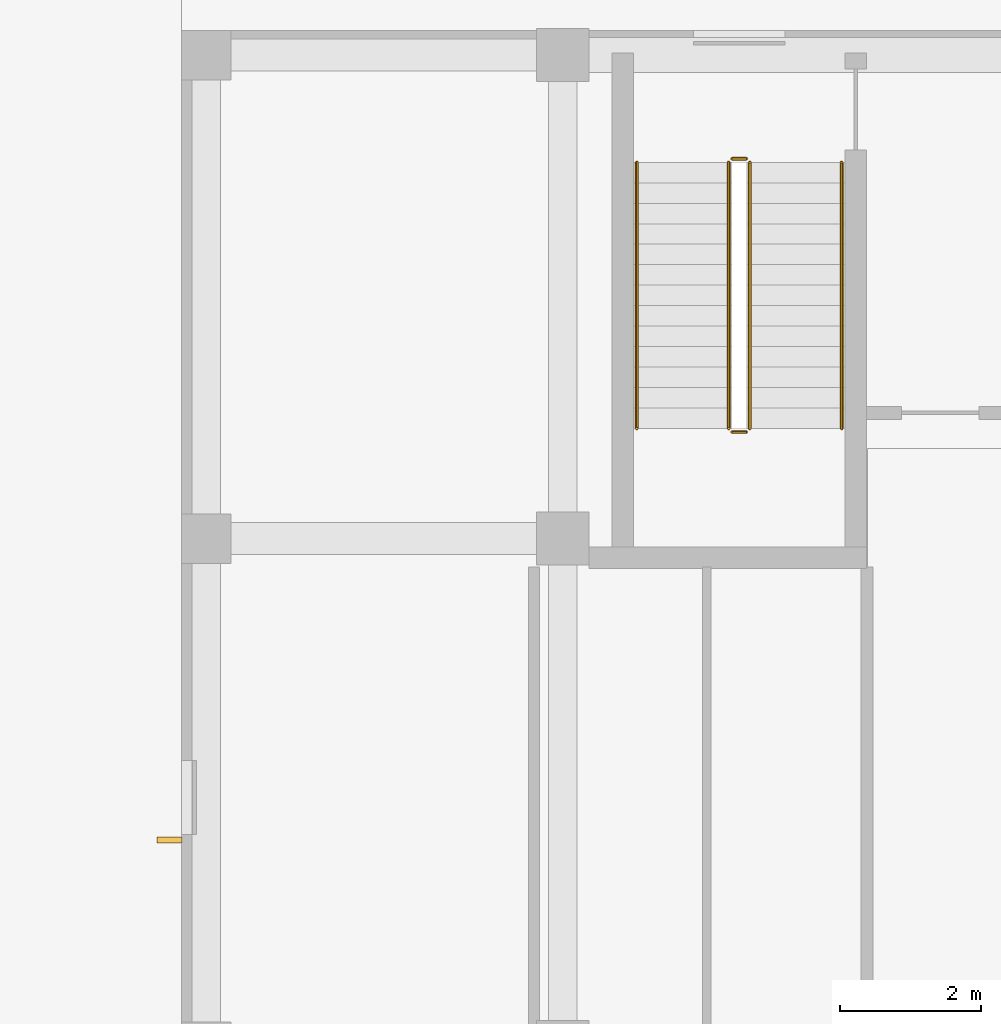
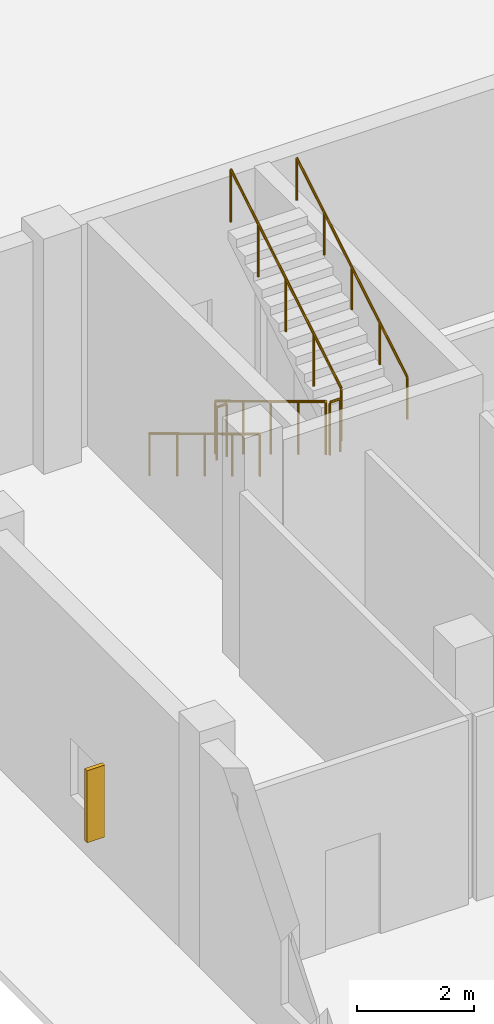
# One storey, part 61 of 85: 6 railings, 1 shading device.
"""IFC4 building model written with IfcOpenShell, lengths in metres."""

from ifc_helpers import new_model, si_unit, derived_unit, direction, frame, origin, origin_2d, place, context, subcontext, project, spatial, rectangle, circle, extrude, material, type_object, element, save


model = new_model("IFC4")

# Units and contexts
model_context = context("Model", 3, precision=1e-05, world=origin(), true_north=direction((0.0, 1.0)))
body_context = subcontext(model_context, "Body", "Model", "MODEL_VIEW")
ifc_project = project(units=[si_unit("LENGTHUNIT", "METRE"), si_unit("AREAUNIT", "SQUARE_METRE"), si_unit("VOLUMEUNIT", "CUBIC_METRE"), si_unit("PLANEANGLEUNIT", "RADIAN"), si_unit("MASSUNIT", "GRAM", prefix="KILO"), derived_unit("THERMALTRANSMITTANCEUNIT", [(si_unit("MASSUNIT", "GRAM", prefix="KILO"), 1), (si_unit("TIMEUNIT", "SECOND"), -3), (si_unit("THERMODYNAMICTEMPERATUREUNIT", "KELVIN"), -1)])], contexts=[model_context])

# Site, building, storey
site_placement = place(None, origin())
site = spatial("IfcSite", under=ifc_project, at=site_placement, CompositionType="ELEMENT")
building_placement = place(site_placement, origin())
building = spatial("IfcBuilding", under=site, at=building_placement, Name="Ochrekiln Boulevard Commons", CompositionType="ELEMENT")
storey_placement = place(building_placement, origin())
storey = spatial("IfcBuildingStorey", under=building, at=storey_placement, Name="L00", CompositionType="ELEMENT", Elevation=0.0)

# Railings
ifc_material_1 = material(Name="Brushed stainless steel 316 tubular railing", Category="steel")
railing_type_1 = type_object("IfcRailingType", Name="RLG-HDR-900", PredefinedType="HANDRAIL", material=ifc_material_1)
railing_1_placement = place(storey_placement, frame((6.449951171875, 48.530029296875, 0.175048828125)))
element("IfcRailing", 1, at=railing_1_placement, inside=storey, type_object=railing_type_1, Name="L00 ST-D2 stair handrail 1", PredefinedType="HANDRAIL", context=body_context, shape_type="SweptSolid", body=[
    extrude(circle(Radius=0.02392578125, at=origin_2d()), frame((0.0, 0.0, 0.8759765625), z_axis=(0.0, -0.856198655849, 0.51664674752), x_axis=(1.0, 0.0, 0.0)), (0.0, 0.0, 1.0), 4.4033203125),
    extrude(circle(Radius=0.02099609375, at=origin_2d()), origin(), (0.0, 0.0, 1.0), 0.851806640625),
    extrude(circle(Radius=0.02099609375, at=origin_2d()), frame((0.0, -0.9423828125, 0.56884765625)), (0.0, 0.0, 1.0), 0.851806640625),
    extrude(circle(Radius=0.02099609375, at=origin_2d()), frame((0.0, -1.885009765625, 1.137451171875)), (0.0, 0.0, 1.0), 0.851806640625),
    extrude(circle(Radius=0.02099609375, at=origin_2d()), frame((0.0, -2.82763671875, 1.7060546875)), (0.0, 0.0, 1.0), 0.851806640625),
    extrude(circle(Radius=0.02099609375, at=origin_2d()), frame((0.0, -3.77001953125, 2.27490234375)), (0.0, 0.0, 1.0), 0.851806640625),
])
railing_2_placement = place(storey_placement, frame((9.35009765625, 44.760009765625, 2.625)))
element("IfcRailing", 2, at=railing_2_placement, inside=storey, type_object=railing_type_1, Name="L00 ST-D2 stair handrail 2", PredefinedType="HANDRAIL", context=body_context, shape_type="SweptSolid", body=[
    extrude(circle(Radius=0.02392578125, at=origin_2d()), frame((0.0, 0.0, 0.8759765625), z_axis=(0.0, 0.856198655849, 0.51664674752), x_axis=(-1.0, 0.0, 0.0)), (0.0, 0.0, 1.0), 4.4033203125),
    extrude(circle(Radius=0.02099609375, at=origin_2d()), origin(), (0.0, 0.0, 1.0), 0.851806640625),
    extrude(circle(Radius=0.02099609375, at=origin_2d()), frame((0.0, 0.9423828125, 0.56884765625)), (0.0, 0.0, 1.0), 0.851806640625),
    extrude(circle(Radius=0.02099609375, at=origin_2d()), frame((0.0, 1.885009765625, 1.137451171875)), (0.0, 0.0, 1.0), 0.851806640625),
    extrude(circle(Radius=0.02099609375, at=origin_2d()), frame((0.0, 2.82763671875, 1.7060546875)), (0.0, 0.0, 1.0), 0.851806640625),
    extrude(circle(Radius=0.02099609375, at=origin_2d()), frame((0.0, 3.77001953125, 2.27490234375)), (0.0, 0.0, 1.0), 0.851806640625),
])
railing_type_2 = type_object("IfcRailingType", Name="RLG-STR-1120", PredefinedType="BALUSTRADE", material=ifc_material_1)
railing_3_placement = place(storey_placement, frame((7.75, 48.530029296875, 0.175048828125)))
element("IfcRailing", 3, at=railing_3_placement, inside=storey, type_object=railing_type_2, Name="L00 ST-D2 stair guard 1", PredefinedType="BALUSTRADE", context=body_context, shape_type="SweptSolid", body=[
    extrude(circle(Radius=0.02392578125, at=origin_2d()), frame((0.0, 0.0, 1.09619140625), z_axis=(0.0, -0.856198655849, 0.51664674752), x_axis=(1.0, 0.0, 0.0)), (0.0, 0.0, 1.0), 4.4033203125),
    extrude(circle(Radius=0.02099609375, at=origin_2d()), origin(), (0.0, 0.0, 1.0), 1.072021484375),
    extrude(circle(Radius=0.02099609375, at=origin_2d()), frame((0.0, -0.9423828125, 0.56884765625)), (0.0, 0.0, 1.0), 1.072021484375),
    extrude(circle(Radius=0.02099609375, at=origin_2d()), frame((0.0, -1.885009765625, 1.137451171875)), (0.0, 0.0, 1.0), 1.072021484375),
    extrude(circle(Radius=0.02099609375, at=origin_2d()), frame((0.0, -2.82763671875, 1.7060546875)), (0.0, 0.0, 1.0), 1.072021484375),
    extrude(circle(Radius=0.02099609375, at=origin_2d()), frame((0.0, -3.77001953125, 2.27490234375)), (0.0, 0.0, 1.0), 1.072021484375),
])
railing_4_placement = place(storey_placement, frame((7.800048828125, 44.7099609375, 2.449951171875)))
element("IfcRailing", 4, at=railing_4_placement, inside=storey, type_object=railing_type_2, Name="L00 ST-D2 stair guard 2", PredefinedType="BALUSTRADE", context=body_context, shape_type="SweptSolid", body=[
    extrude(circle(Radius=0.02392578125, at=origin_2d()), frame((0.0, 0.0, 1.09619140625), z_axis=(1.0, 0.0, 0.0), x_axis=(0.0, 1.0, 0.0)), (0.0, 0.0, 1.0), 0.199951171875),
    extrude(circle(Radius=0.02099609375, at=origin_2d()), origin(), (0.0, 0.0, 1.0), 1.072021484375),
    extrude(circle(Radius=0.02099609375, at=origin_2d()), frame((0.199951171875, 0.0, 0.0)), (0.0, 0.0, 1.0), 1.072021484375),
])
railing_5_placement = place(storey_placement, frame((8.050048828125, 44.760009765625, 2.625)))
element("IfcRailing", 5, at=railing_5_placement, inside=storey, type_object=railing_type_2, Name="L00 ST-D2 stair guard 3", PredefinedType="BALUSTRADE", context=body_context, shape_type="SweptSolid", body=[
    extrude(circle(Radius=0.02392578125, at=origin_2d()), frame((0.0, 0.0, 1.09619140625), z_axis=(0.0, 0.856198655849, 0.51664674752), x_axis=(-1.0, 0.0, 0.0)), (0.0, 0.0, 1.0), 4.4033203125),
    extrude(circle(Radius=0.02099609375, at=origin_2d()), origin(), (0.0, 0.0, 1.0), 1.072021484375),
    extrude(circle(Radius=0.02099609375, at=origin_2d()), frame((0.0, 0.9423828125, 0.56884765625)), (0.0, 0.0, 1.0), 1.072021484375),
    extrude(circle(Radius=0.02099609375, at=origin_2d()), frame((0.0, 1.885009765625, 1.137451171875)), (0.0, 0.0, 1.0), 1.072021484375),
    extrude(circle(Radius=0.02099609375, at=origin_2d()), frame((0.0, 2.82763671875, 1.7060546875)), (0.0, 0.0, 1.0), 1.072021484375),
    extrude(circle(Radius=0.02099609375, at=origin_2d()), frame((0.0, 3.77001953125, 2.27490234375)), (0.0, 0.0, 1.0), 1.072021484375),
])
railing_6_placement = place(storey_placement, frame((7.800048828125, 48.580078125, 0.0)))
element("IfcRailing", 6, at=railing_6_placement, inside=storey, type_object=railing_type_2, Name="L00 ST-D2 stair guard 4", PredefinedType="BALUSTRADE", context=body_context, shape_type="SweptSolid", body=[
    extrude(circle(Radius=0.02392578125, at=origin_2d()), frame((0.0, 0.0, 1.09619140625), z_axis=(1.0, 0.0, 0.0), x_axis=(0.0, 1.0, 0.0)), (0.0, 0.0, 1.0), 0.199951171875),
    extrude(circle(Radius=0.02099609375, at=origin_2d()), origin(), (0.0, 0.0, 1.0), 1.072021484375),
    extrude(circle(Radius=0.02099609375, at=origin_2d()), frame((0.199951171875, 0.0, 0.0)), (0.0, 0.0, 1.0), 1.072021484375),
])

# Shading device
ifc_material_2 = material(Name="Glazed architectural terracotta ASTM C1405", Category="masonry")
shading_device_type = type_object("IfcShadingDeviceType", Name="SHD-FIN-TERRA", PredefinedType="JALOUSIE", material=ifc_material_2)
shading_device_placement = place(storey_placement, frame((-0.169921875, 38.929931640625, 0.75), z_axis=(0.0, 0.0, 1.0), x_axis=(1.0, 0.0, 0.0)))
element("IfcShadingDevice", 7, at=shading_device_placement, inside=storey, type_object=shading_device_type, Name="Terracotta Solar Shading Fin SF-01 (71)", PredefinedType="JALOUSIE", context=body_context, shape_type="SweptSolid", body=[
    extrude(rectangle(XDim=0.35009765625, YDim=0.080078125, at=origin_2d()), origin(), (0.0, 0.0, 1.0), 1.5),
])

save(model, "model.ifc")
